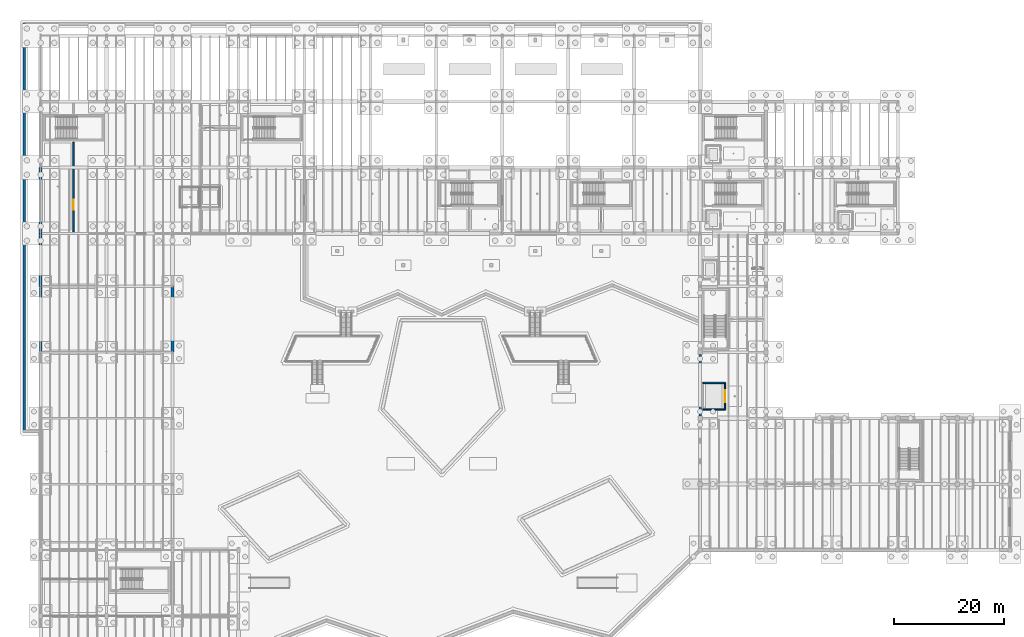
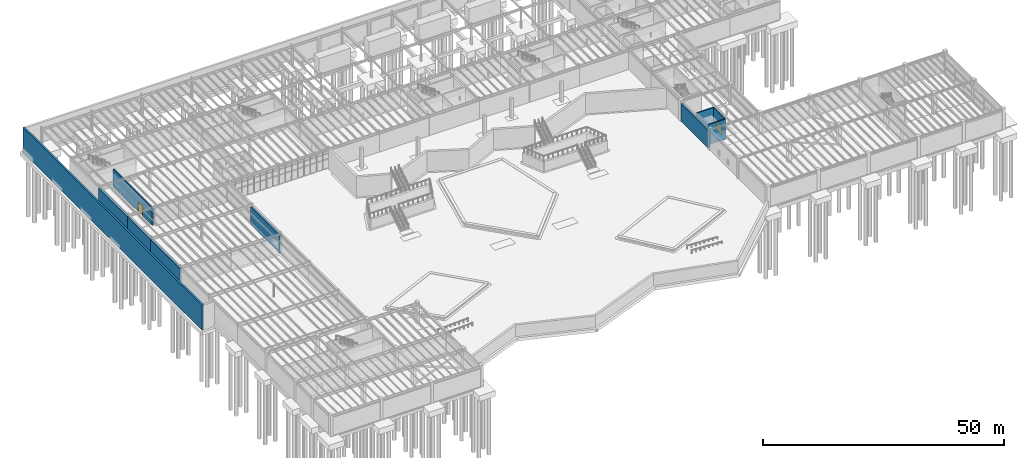
# One storey, part 34 of 67: 10 walls, 2 doors, 2 openings.
"""IFC4 building model written with IfcOpenShell, lengths in metres."""

from ifc_helpers import new_model, si_unit, direction, frame, frame_2d, origin, place, context, subcontext, project, spatial, rectangle, extrude, material, layer, layer_set, type_object, element, fill, save


model = new_model("IFC4")

# Units and contexts
model_context = context("Model", 3, precision=1e-05, world=origin(), true_north=direction((0.0, 1.0)))
body_context = subcontext(model_context, "Body", "Model", "MODEL_VIEW")
ifc_project = project(units=[si_unit("LENGTHUNIT", "METRE"), si_unit("AREAUNIT", "SQUARE_METRE"), si_unit("VOLUMEUNIT", "CUBIC_METRE"), si_unit("PLANEANGLEUNIT", "RADIAN"), si_unit("MASSUNIT", "GRAM", prefix="KILO")], contexts=[model_context])

# Site, building, storey
site_placement = place(None, origin())
site = spatial("IfcSite", under=ifc_project, at=site_placement, CompositionType="ELEMENT")
building_placement = place(site_placement, origin())
building = spatial("IfcBuilding", under=site, at=building_placement, Name="Zlatogorsky Bluff Art Gallery", CompositionType="ELEMENT")
storey_placement = place(building_placement, frame((0.0, 0.0, -5.39990234375)))
storey = spatial("IfcBuildingStorey", under=building, at=storey_placement, Name="B1", CompositionType="ELEMENT", Elevation=-5.39990234375)

# Walls
ifc_material_1 = material(Name="Concrete C35/45", Category="concrete")
ifc_layer_1 = layer(ifc_material_1, 0.449951171875)
ifc_layer_set_1 = layer_set([ifc_layer_1], Name="Exterior Wall RW-01 450mm")
wall_type_1 = type_object("IfcWallType", Name="Exterior Wall RW-01 450mm", PredefinedType="USERDEFINED", material=ifc_layer_set_1)
wall_1_placement = place(storey_placement, frame((-3.0, 47.820068359375, -1.300048828125), z_axis=(0.0, 0.0, 1.0), x_axis=(0.0, 1.0, 0.0)))
element("IfcWall", 1, at=wall_1_placement, inside=storey, type_object=wall_type_1, Name="Stepped river-bluff angled concrete wall NSK-02", ObjectType="RETAINING WALL", PredefinedType="USERDEFINED", context=body_context, shape_type="SweptSolid", body=[
    extrude(rectangle(XDim=74.4599609375, YDim=0.449951171875, at=frame_2d((37.22998046875, 0.0))), origin(), (0.0, 0.0, 1.0), 6.33984375),
])
wall_2_placement = place(storey_placement, frame((0.0, 74.39990234375, 0.0), z_axis=(0.0, 0.0, 1.0), x_axis=(0.0, -1.0, 0.0)))
element("IfcWall", 2, at=wall_2_placement, inside=storey, type_object=wall_type_1, Name="Exterior wall RW-01 B1 W 0.6", ObjectType="RETAINING WALL", PredefinedType="USERDEFINED", context=body_context, shape_type="SweptSolid", body=[
    extrude(rectangle(XDim=12.0, YDim=0.449951171875, at=frame_2d((6.0, 0.0))), origin(), (0.0, 0.0, 1.0), 4.539794921875),
])
wall_3_placement = place(storey_placement, frame((120.0, 62.0048828125, 0.0), z_axis=(0.0, 0.0, 1.0), x_axis=(0.0, -1.0, 0.0)))
element("IfcWall", 3, at=wall_3_placement, inside=storey, type_object=wall_type_1, Name="Exterior wall RW-01 B1 W 10.5", ObjectType="RETAINING WALL", PredefinedType="USERDEFINED", context=body_context, shape_type="SweptSolid", body=[
    extrude(rectangle(XDim=11.2099609375, YDim=0.449951171875, at=frame_2d((5.60498046875, 0.0))), origin(), (0.0, 0.0, 1.0), 4.539794921875),
])
ifc_layer_2 = layer(ifc_material_1, 0.5)
ifc_layer_set_2 = layer_set([ifc_layer_2], Name="Exterior Wall RW-02 500mm")
wall_type_2 = type_object("IfcWallType", Name="Exterior Wall RW-02 500mm", PredefinedType="USERDEFINED", material=ifc_layer_set_2)
wall_4_placement = place(storey_placement, frame((0.0, 84.0, 0.0), z_axis=(0.0, 0.0, 1.0), x_axis=(0.0, -1.0, 0.0)))
element("IfcWall", 4, at=wall_4_placement, inside=storey, type_object=wall_type_2, Name="Exterior wall RW-02 B1 W 0.7", ObjectType="RETAINING WALL", PredefinedType="USERDEFINED", context=body_context, shape_type="SweptSolid", body=[
    extrude(rectangle(XDim=9.60009765625, YDim=0.5, at=frame_2d((4.800048828125, 0.0))), origin(), (0.0, 0.0, 1.0), 4.539794921875),
])
wall_5_placement = place(storey_placement, frame((24.0, 62.39990234375, 0.0), z_axis=(0.0, 0.0, 1.0), x_axis=(0.0, 1.0, 0.0)))
element("IfcWall", 5, at=wall_5_placement, inside=storey, type_object=wall_type_2, Name="Exterior wall RW-02 B1 E 1.6", ObjectType="RETAINING WALL", PredefinedType="USERDEFINED", context=body_context, shape_type="SweptSolid", body=[
    extrude(rectangle(XDim=12.0, YDim=0.5, at=frame_2d((6.0, 0.0))), origin(), (0.0, 0.0, 1.0), 4.539794921875),
])
ifc_layer_3 = layer(ifc_material_1, 0.52001953125)
ifc_layer_set_3 = layer_set([ifc_layer_3], Name="Exterior Wall RW-03 520mm")
wall_type_3 = type_object("IfcWallType", Name="Exterior Wall RW-03 520mm", PredefinedType="USERDEFINED", material=ifc_layer_set_3)
wall_6_placement = place(storey_placement, frame((0.0, 96.0, 0.0), z_axis=(0.0, 0.0, 1.0), x_axis=(0.0, -1.0, 0.0)))
element("IfcWall", 6, at=wall_6_placement, inside=storey, type_object=wall_type_3, Name="Exterior wall RW-03 B1 W 0.8", ObjectType="RETAINING WALL", PredefinedType="USERDEFINED", context=body_context, shape_type="SweptSolid", body=[
    extrude(rectangle(XDim=12.0, YDim=0.52001953125, at=frame_2d((6.0, 0.0))), origin(), (0.0, 0.0, 1.0), 4.539794921875),
])
ifc_layer_4 = layer(ifc_material_1, 0.25)
ifc_layer_set_4 = layer_set([ifc_layer_4], Name="Interior Wall IW-05 250mm")
wall_type_4 = type_object("IfcWallType", Name="Interior Wall IW-05 250mm", PredefinedType="SOLIDWALL", material=ifc_layer_set_4)
wall_7_placement = place(storey_placement, frame((120.4951171875, 51.97509765625, 0.0), z_axis=(0.0, 0.0, 1.0), x_axis=(1.0, 0.0, 0.0)))
element("IfcWall", 7, at=wall_7_placement, inside=storey, type_object=wall_type_4, Name="Lift GL-1 shaft wall B1 S", PredefinedType="SOLIDWALL", context=body_context, shape_type="SweptSolid", body=[
    extrude(rectangle(XDim=4.0498046875, YDim=0.25, at=frame_2d((2.02490234375, 0.0))), origin(), (0.0, 0.0, 1.0), 5.119873046875),
])

# Wall, opening, door
wall_8_placement = place(storey_placement, frame((124.544921875, 51.97509765625, 0.0), z_axis=(0.0, 0.0, 1.0), x_axis=(0.0, 1.0, 0.0)))
wall_8 = element("IfcWall", 8, at=wall_8_placement, inside=storey, type_object=wall_type_4, Name="Lift GL-1 shaft wall B1 E", PredefinedType="SOLIDWALL", context=body_context, shape_type="SweptSolid", body=[
    extrude(rectangle(XDim=4.849853515625, YDim=0.25, at=frame_2d((2.4248046875, 0.0))), origin(), (0.0, 0.0, 1.0), 5.119873046875),
])
opening_1_placement = place(wall_8_placement, frame((1.324951171875, 0.0, 0.0)))
opening_1 = element("IfcOpeningElement", 9, at=opening_1_placement, cuts=wall_8, Name="Opening LD-04", PredefinedType="OPENING", context=body_context, shape_type="SweptSolid", body=[
    extrude(rectangle(XDim=2.199951171875, YDim=2.64990234375, at=frame_2d((1.10009765625, 1.324951171875))), frame((0.0, 0.135009765625, 0.0), z_axis=(0.0, -1.0, 0.0), x_axis=(1.0, 0.0, 0.0)), (0.0, 0.0, 1.0), 0.27001953125),
])
ifc_material_2 = material(Name="Anodised Aluminium and Laminated Timber", Category="wood")
door_type_1 = type_object("IfcDoorType", Name="Interior Door LD-04 2200x2650", OperationType="DOUBLE_DOOR_SLIDING", PredefinedType="DOOR", material=ifc_material_2)
door_1_placement = place(opening_1_placement, origin())
door_1 = element("IfcDoor", 10, at=door_1_placement, inside=storey, type_object=door_type_1, Name="Lift GL-1 sliding landing door B1", OperationType="DOUBLE_DOOR_SLIDING", OverallHeight=2.64990234375, OverallWidth=2.199951171875, PredefinedType="DOOR", context=body_context, shape_type="SweptSolid", body=[
    extrude(rectangle(XDim=2.199951171875, YDim=2.64990234375, at=frame_2d((1.10009765625, 1.324951171875))), frame((0.0, 0.02490234375, 0.0), z_axis=(0.0, -1.0, 0.0), x_axis=(1.0, 0.0, 0.0)), (0.0, 0.0, 1.0), 0.050048828125),
])
fill(opening_1, door_1)

# Wall
wall_9_placement = place(storey_placement, frame((124.544921875, 56.824951171875, 0.0), z_axis=(0.0, 0.0, 1.0), x_axis=(-1.0, 0.0, 0.0)))
element("IfcWall", 11, at=wall_9_placement, inside=storey, type_object=wall_type_4, Name="Lift GL-1 shaft wall B1 N", PredefinedType="SOLIDWALL", context=body_context, shape_type="SweptSolid", body=[
    extrude(rectangle(XDim=4.0498046875, YDim=0.25, at=frame_2d((2.02490234375, 0.0))), origin(), (0.0, 0.0, 1.0), 5.119873046875),
])

# Wall, opening, door
ifc_layer_5 = layer(ifc_material_1, 0.280029296875)
ifc_layer_set_5 = layer_set([ifc_layer_5], Name="Interior Wall IW-06 280mm")
wall_type_5 = type_object("IfcWallType", Name="Interior Wall IW-06 280mm", PredefinedType="SOLIDWALL", material=ifc_layer_set_5)
wall_10_placement = place(storey_placement, frame((6.0, 84.330078125, 0.0), z_axis=(0.0, 0.0, 1.0), x_axis=(0.0, 1.0, 0.0)))
wall_10 = element("IfcWall", 12, at=wall_10_placement, inside=storey, type_object=wall_type_5, Name="Partition IW-06 between B1-S1-11 and B1-S1-12-S1", PredefinedType="SOLIDWALL", context=body_context, shape_type="SweptSolid", body=[
    extrude(rectangle(XDim=16.25, YDim=0.280029296875, at=frame_2d((8.125, 0.0))), origin(), (0.0, 0.0, 1.0), 4.469970703125),
])
opening_2_placement = place(wall_10_placement, frame((3.97509765625, 0.0, 0.0)))
opening_2 = element("IfcOpeningElement", 13, at=opening_2_placement, cuts=wall_10, Name="Opening ID-11", PredefinedType="OPENING", context=body_context, shape_type="SweptSolid", body=[
    extrude(rectangle(XDim=1.800048828125, YDim=2.39990234375, at=frame_2d((0.89990234375, 1.199951171875))), frame((0.0, 0.14990234375, 0.0), z_axis=(0.0, -1.0, 0.0), x_axis=(1.0, 0.0, 0.0)), (0.0, 0.0, 1.0), 0.300048828125),
])
door_type_2 = type_object("IfcDoorType", Name="Interior Door ID-11 1800x2400", OperationType="DOUBLE_DOOR_SINGLE_SWING", PredefinedType="DOOR", material=ifc_material_2)
door_2_placement = place(opening_2_placement, origin())
door_2 = element("IfcDoor", 14, at=door_2_placement, inside=storey, type_object=door_type_2, Name="Door ID-11 B1-S1-11-B1-S1-12-S1", OperationType="DOUBLE_DOOR_SINGLE_SWING", OverallHeight=2.39990234375, OverallWidth=1.800048828125, PredefinedType="DOOR", context=body_context, shape_type="SweptSolid", body=[
    extrude(rectangle(XDim=1.800048828125, YDim=2.39990234375, at=frame_2d((0.89990234375, 1.199951171875))), frame((0.0, 0.02490234375, 0.0), z_axis=(0.0, -1.0, 0.0), x_axis=(1.0, 0.0, 0.0)), (0.0, 0.0, 1.0), 0.050048828125),
])
fill(opening_2, door_2)

save(model, "model.ifc")
